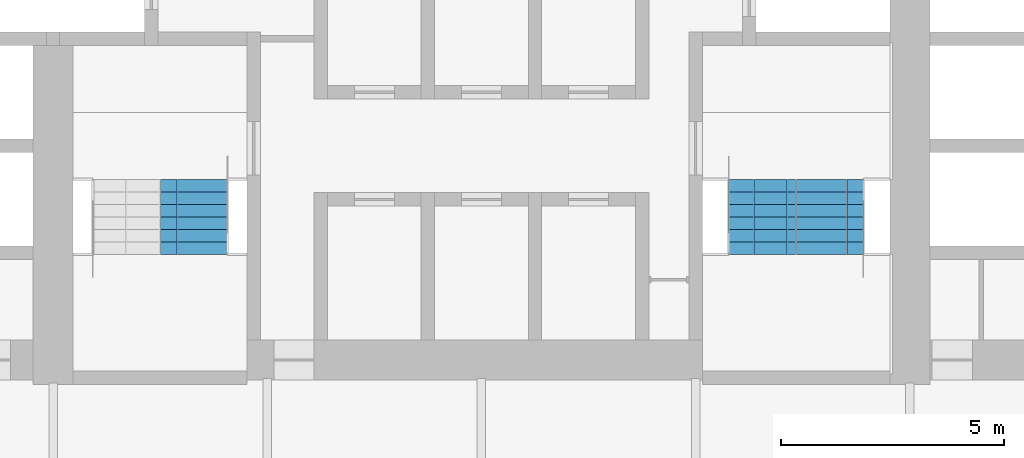
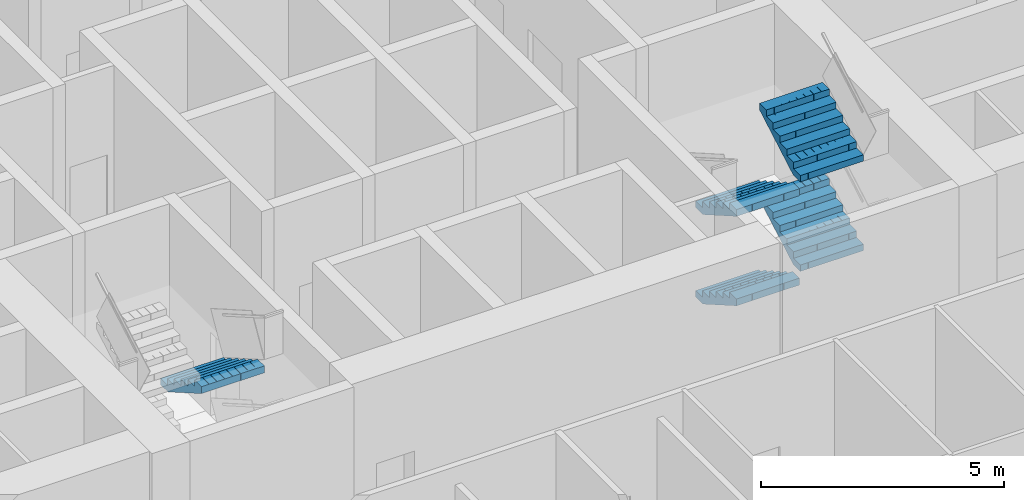
# One storey, part 19 of 23: 5 stair flights, 2 elements without a shape of their own.
"""IFC4 building model written with IfcOpenShell, lengths in metres."""

from ifc_helpers import new_model, si_unit, direction, frame, origin, place, context, subcontext, project, spatial, polyline, outline, extrude, material, type_object, element, aggregate, save


model = new_model("IFC4")

# Units and contexts
model_context = context("Model", 3, precision=1e-05, world=origin(), true_north=direction((0.0, 1.0)))
body_context = subcontext(model_context, "Body", "Model", "MODEL_VIEW")
ifc_project = project(units=[si_unit("LENGTHUNIT", "METRE"), si_unit("AREAUNIT", "SQUARE_METRE"), si_unit("VOLUMEUNIT", "CUBIC_METRE"), si_unit("PLANEANGLEUNIT", "RADIAN"), si_unit("MASSUNIT", "GRAM", prefix="KILO")], contexts=[model_context])

# Site, building, storey
site_placement = place(None, origin())
site = spatial("IfcSite", under=ifc_project, at=site_placement, CompositionType="ELEMENT")
building_placement = place(site_placement, origin())
building = spatial("IfcBuilding", under=site, at=building_placement, Name="Kolab Exchange Tower", CompositionType="ELEMENT")
storey_placement = place(building_placement, frame((0.0, 0.0, 100.39990234375)))
storey = spatial("IfcBuildingStorey", under=building, at=storey_placement, Name="L19", CompositionType="ELEMENT", Elevation=100.39990234375)

# Stair, stair flight
ifc_material = material(Name="Concrete C50/60", Category="concrete")
stair_type_1 = type_object("IfcStairType", Name="STAIR ST3 RISER 160.7", PredefinedType="DOUBLE_RETURN_STAIR", material=ifc_material)
stair_1_placement = place(storey_placement, origin())
stair_1 = element("IfcStair", 1, at=stair_1_placement, inside=storey, type_object=stair_type_1, Name="Stair 3", PredefinedType="DOUBLE_RETURN_STAIR")
stair_flight_type = type_object("IfcStairFlightType", Name="STAIR FLIGHT 1500 RISER 160.7", PredefinedType="STRAIGHT", material=ifc_material)
stair_flight_1_placement = place(storey_placement, frame((-6.43994140625, -5.550048828125, 2.25), z_axis=(0.0, 0.0, 1.0), x_axis=(0.0, -1.0, 0.0)))
stair_flight_1 = element("IfcStairFlight", 2, at=stair_flight_1_placement, type_object=stair_flight_type, Name="ST3 flight 3", NumberOfRisers=7, NumberOfTreads=6, PredefinedType="STRAIGHT", RiserHeight=0.160714286, TreadLength=0.28, context=body_context, shape_type="SweptSolid", body=[
    extrude(outline(polyline([(0.0, 0.0), (0.0, 0.16064453125), (0.280029296875, 0.16064453125), (0.280029296875, 0.321533203125), (0.56005859375, 0.321533203125), (0.56005859375, 0.482177734375), (0.840087890625, 0.482177734375), (0.840087890625, 0.642822265625), (1.1201171875, 0.642822265625), (1.1201171875, 0.803466796875), (1.39990234375, 0.803466796875), (1.39990234375, 0.96435546875), (1.679931640625, 0.96435546875), (1.679931640625, 1.125), (1.679931640625, 0.79150390625), (0.301025390625, 0.0), (0.0, 0.0)])), frame((0.0, 0.75, 0.0), z_axis=(0.0, -1.0, 0.0), x_axis=(1.0, 0.0, 0.0)), (0.0, 0.0, 1.0), 0.185791015625),
    extrude(outline(polyline([(0.0, 0.0), (0.0, 0.16064453125), (0.280029296875, 0.16064453125), (0.280029296875, 0.321533203125), (0.56005859375, 0.321533203125), (0.56005859375, 0.482177734375), (0.840087890625, 0.482177734375), (0.840087890625, 0.642822265625), (1.1201171875, 0.642822265625), (1.1201171875, 0.803466796875), (1.39990234375, 0.803466796875), (1.39990234375, 0.96435546875), (1.679931640625, 0.96435546875), (1.679931640625, 1.125), (1.679931640625, 0.79150390625), (0.301025390625, 0.0), (0.0, 0.0)])), frame((0.0, 0.562255859375, 0.0), z_axis=(0.0, -1.0, 0.0), x_axis=(1.0, 0.0, 0.0)), (0.0, 0.0, 1.0), 0.185791015625),
    extrude(outline(polyline([(0.0, 0.0), (0.0, 0.16064453125), (0.280029296875, 0.16064453125), (0.280029296875, 0.321533203125), (0.56005859375, 0.321533203125), (0.56005859375, 0.482177734375), (0.840087890625, 0.482177734375), (0.840087890625, 0.642822265625), (1.1201171875, 0.642822265625), (1.1201171875, 0.803466796875), (1.39990234375, 0.803466796875), (1.39990234375, 0.96435546875), (1.679931640625, 0.96435546875), (1.679931640625, 1.125), (1.679931640625, 0.79150390625), (0.301025390625, 0.0), (0.0, 0.0)])), frame((0.0, 0.37451171875, 0.0), z_axis=(0.0, -1.0, 0.0), x_axis=(1.0, 0.0, 0.0)), (0.0, 0.0, 1.0), 0.185791015625),
    extrude(outline(polyline([(0.0, 0.0), (0.0, 0.16064453125), (0.280029296875, 0.16064453125), (0.280029296875, 0.321533203125), (0.56005859375, 0.321533203125), (0.56005859375, 0.482177734375), (0.840087890625, 0.482177734375), (0.840087890625, 0.642822265625), (1.1201171875, 0.642822265625), (1.1201171875, 0.803466796875), (1.39990234375, 0.803466796875), (1.39990234375, 0.96435546875), (1.679931640625, 0.96435546875), (1.679931640625, 1.125), (1.679931640625, 0.79150390625), (0.301025390625, 0.0), (0.0, 0.0)])), frame((0.0, 0.186767578125, 0.0), z_axis=(0.0, -1.0, 0.0), x_axis=(1.0, 0.0, 0.0)), (0.0, 0.0, 1.0), 0.185791015625),
    extrude(outline(polyline([(0.0, 0.0), (0.0, 0.16064453125), (0.280029296875, 0.16064453125), (0.280029296875, 0.321533203125), (0.56005859375, 0.321533203125), (0.56005859375, 0.482177734375), (0.840087890625, 0.482177734375), (0.840087890625, 0.642822265625), (1.1201171875, 0.642822265625), (1.1201171875, 0.803466796875), (1.39990234375, 0.803466796875), (1.39990234375, 0.96435546875), (1.679931640625, 0.96435546875), (1.679931640625, 1.125), (1.679931640625, 0.79150390625), (0.301025390625, 0.0), (0.0, 0.0)])), frame((0.0, -0.0009765625, 0.0), z_axis=(0.0, -1.0, 0.0), x_axis=(1.0, 0.0, 0.0)), (0.0, 0.0, 1.0), 0.185791015625),
    extrude(outline(polyline([(0.0, 0.0), (0.0, 0.16064453125), (0.280029296875, 0.16064453125), (0.280029296875, 0.321533203125), (0.56005859375, 0.321533203125), (0.56005859375, 0.482177734375), (0.840087890625, 0.482177734375), (0.840087890625, 0.642822265625), (1.1201171875, 0.642822265625), (1.1201171875, 0.803466796875), (1.39990234375, 0.803466796875), (1.39990234375, 0.96435546875), (1.679931640625, 0.96435546875), (1.679931640625, 1.125), (1.679931640625, 0.79150390625), (0.301025390625, 0.0), (0.0, 0.0)])), frame((0.0, -0.188720703125, 0.0), z_axis=(0.0, -1.0, 0.0), x_axis=(1.0, 0.0, 0.0)), (0.0, 0.0, 1.0), 0.185791015625),
    extrude(outline(polyline([(0.0, 0.0), (0.0, 0.16064453125), (0.280029296875, 0.16064453125), (0.280029296875, 0.321533203125), (0.56005859375, 0.321533203125), (0.56005859375, 0.482177734375), (0.840087890625, 0.482177734375), (0.840087890625, 0.642822265625), (1.1201171875, 0.642822265625), (1.1201171875, 0.803466796875), (1.39990234375, 0.803466796875), (1.39990234375, 0.96435546875), (1.679931640625, 0.96435546875), (1.679931640625, 1.125), (1.679931640625, 0.79150390625), (0.301025390625, 0.0), (0.0, 0.0)])), frame((0.0, -0.37646484375, 0.0), z_axis=(0.0, -1.0, 0.0), x_axis=(1.0, 0.0, 0.0)), (0.0, 0.0, 1.0), 0.185791015625),
    extrude(outline(polyline([(0.0, 0.0), (0.0, 0.16064453125), (0.280029296875, 0.16064453125), (0.280029296875, 0.321533203125), (0.56005859375, 0.321533203125), (0.56005859375, 0.482177734375), (0.840087890625, 0.482177734375), (0.840087890625, 0.642822265625), (1.1201171875, 0.642822265625), (1.1201171875, 0.803466796875), (1.39990234375, 0.803466796875), (1.39990234375, 0.96435546875), (1.679931640625, 0.96435546875), (1.679931640625, 1.125), (1.679931640625, 0.79150390625), (0.301025390625, 0.0), (0.0, 0.0)])), frame((0.0, -0.564208984375, 0.0), z_axis=(0.0, -1.0, 0.0), x_axis=(1.0, 0.0, 0.0)), (0.0, 0.0, 1.0), 0.185791015625),
])
aggregate(stair_1, [stair_flight_1])

# Stair, stair flights
stair_type_2 = type_object("IfcStairType", Name="STAIR ST2 RISER 160.7", PredefinedType="DOUBLE_RETURN_STAIR", material=ifc_material)
stair_2_placement = place(storey_placement, origin())
stair_2 = element("IfcStair", 3, at=stair_2_placement, inside=storey, type_object=stair_type_2, Name="Stair 2", PredefinedType="DOUBLE_RETURN_STAIR")
stair_flight_2_placement = place(storey_placement, frame((6.2900390625, -5.550048828125, 0.0), z_axis=(0.0, 0.0, 1.0), x_axis=(0.0, -1.0, 0.0)))
stair_flight_2 = element("IfcStairFlight", 4, at=stair_flight_2_placement, type_object=stair_flight_type, Name="ST2 flight 1", NumberOfRisers=7, NumberOfTreads=6, PredefinedType="STRAIGHT", RiserHeight=0.160714286, TreadLength=0.28, context=body_context, shape_type="SweptSolid", body=[
    extrude(outline(polyline([(0.0, 0.0), (0.0, 0.16064453125), (0.280029296875, 0.16064453125), (0.280029296875, 0.321533203125), (0.56005859375, 0.321533203125), (0.56005859375, 0.482177734375), (0.840087890625, 0.482177734375), (0.840087890625, 0.642822265625), (1.1201171875, 0.642822265625), (1.1201171875, 0.803466796875), (1.39990234375, 0.803466796875), (1.39990234375, 0.96435546875), (1.679931640625, 0.96435546875), (1.679931640625, 1.125), (1.679931640625, 0.79150390625), (0.301025390625, 0.0), (0.0, 0.0)])), frame((0.0, 0.75, 0.0), z_axis=(0.0, -1.0, 0.0), x_axis=(1.0, 0.0, 0.0)), (0.0, 0.0, 1.0), 0.185791015625),
    extrude(outline(polyline([(0.0, 0.0), (0.0, 0.16064453125), (0.280029296875, 0.16064453125), (0.280029296875, 0.321533203125), (0.56005859375, 0.321533203125), (0.56005859375, 0.482177734375), (0.840087890625, 0.482177734375), (0.840087890625, 0.642822265625), (1.1201171875, 0.642822265625), (1.1201171875, 0.803466796875), (1.39990234375, 0.803466796875), (1.39990234375, 0.96435546875), (1.679931640625, 0.96435546875), (1.679931640625, 1.125), (1.679931640625, 0.79150390625), (0.301025390625, 0.0), (0.0, 0.0)])), frame((0.0, 0.562255859375, 0.0), z_axis=(0.0, -1.0, 0.0), x_axis=(1.0, 0.0, 0.0)), (0.0, 0.0, 1.0), 0.185791015625),
    extrude(outline(polyline([(0.0, 0.0), (0.0, 0.16064453125), (0.280029296875, 0.16064453125), (0.280029296875, 0.321533203125), (0.56005859375, 0.321533203125), (0.56005859375, 0.482177734375), (0.840087890625, 0.482177734375), (0.840087890625, 0.642822265625), (1.1201171875, 0.642822265625), (1.1201171875, 0.803466796875), (1.39990234375, 0.803466796875), (1.39990234375, 0.96435546875), (1.679931640625, 0.96435546875), (1.679931640625, 1.125), (1.679931640625, 0.79150390625), (0.301025390625, 0.0), (0.0, 0.0)])), frame((0.0, 0.37451171875, 0.0), z_axis=(0.0, -1.0, 0.0), x_axis=(1.0, 0.0, 0.0)), (0.0, 0.0, 1.0), 0.185791015625),
    extrude(outline(polyline([(0.0, 0.0), (0.0, 0.16064453125), (0.280029296875, 0.16064453125), (0.280029296875, 0.321533203125), (0.56005859375, 0.321533203125), (0.56005859375, 0.482177734375), (0.840087890625, 0.482177734375), (0.840087890625, 0.642822265625), (1.1201171875, 0.642822265625), (1.1201171875, 0.803466796875), (1.39990234375, 0.803466796875), (1.39990234375, 0.96435546875), (1.679931640625, 0.96435546875), (1.679931640625, 1.125), (1.679931640625, 0.79150390625), (0.301025390625, 0.0), (0.0, 0.0)])), frame((0.0, 0.186767578125, 0.0), z_axis=(0.0, -1.0, 0.0), x_axis=(1.0, 0.0, 0.0)), (0.0, 0.0, 1.0), 0.185791015625),
    extrude(outline(polyline([(0.0, 0.0), (0.0, 0.16064453125), (0.280029296875, 0.16064453125), (0.280029296875, 0.321533203125), (0.56005859375, 0.321533203125), (0.56005859375, 0.482177734375), (0.840087890625, 0.482177734375), (0.840087890625, 0.642822265625), (1.1201171875, 0.642822265625), (1.1201171875, 0.803466796875), (1.39990234375, 0.803466796875), (1.39990234375, 0.96435546875), (1.679931640625, 0.96435546875), (1.679931640625, 1.125), (1.679931640625, 0.79150390625), (0.301025390625, 0.0), (0.0, 0.0)])), frame((0.0, -0.0009765625, 0.0), z_axis=(0.0, -1.0, 0.0), x_axis=(1.0, 0.0, 0.0)), (0.0, 0.0, 1.0), 0.185791015625),
    extrude(outline(polyline([(0.0, 0.0), (0.0, 0.16064453125), (0.280029296875, 0.16064453125), (0.280029296875, 0.321533203125), (0.56005859375, 0.321533203125), (0.56005859375, 0.482177734375), (0.840087890625, 0.482177734375), (0.840087890625, 0.642822265625), (1.1201171875, 0.642822265625), (1.1201171875, 0.803466796875), (1.39990234375, 0.803466796875), (1.39990234375, 0.96435546875), (1.679931640625, 0.96435546875), (1.679931640625, 1.125), (1.679931640625, 0.79150390625), (0.301025390625, 0.0), (0.0, 0.0)])), frame((0.0, -0.188720703125, 0.0), z_axis=(0.0, -1.0, 0.0), x_axis=(1.0, 0.0, 0.0)), (0.0, 0.0, 1.0), 0.185791015625),
    extrude(outline(polyline([(0.0, 0.0), (0.0, 0.16064453125), (0.280029296875, 0.16064453125), (0.280029296875, 0.321533203125), (0.56005859375, 0.321533203125), (0.56005859375, 0.482177734375), (0.840087890625, 0.482177734375), (0.840087890625, 0.642822265625), (1.1201171875, 0.642822265625), (1.1201171875, 0.803466796875), (1.39990234375, 0.803466796875), (1.39990234375, 0.96435546875), (1.679931640625, 0.96435546875), (1.679931640625, 1.125), (1.679931640625, 0.79150390625), (0.301025390625, 0.0), (0.0, 0.0)])), frame((0.0, -0.37646484375, 0.0), z_axis=(0.0, -1.0, 0.0), x_axis=(1.0, 0.0, 0.0)), (0.0, 0.0, 1.0), 0.185791015625),
    extrude(outline(polyline([(0.0, 0.0), (0.0, 0.16064453125), (0.280029296875, 0.16064453125), (0.280029296875, 0.321533203125), (0.56005859375, 0.321533203125), (0.56005859375, 0.482177734375), (0.840087890625, 0.482177734375), (0.840087890625, 0.642822265625), (1.1201171875, 0.642822265625), (1.1201171875, 0.803466796875), (1.39990234375, 0.803466796875), (1.39990234375, 0.96435546875), (1.679931640625, 0.96435546875), (1.679931640625, 1.125), (1.679931640625, 0.79150390625), (0.301025390625, 0.0), (0.0, 0.0)])), frame((0.0, -0.564208984375, 0.0), z_axis=(0.0, -1.0, 0.0), x_axis=(1.0, 0.0, 0.0)), (0.0, 0.0, 1.0), 0.185791015625),
])
stair_flight_3_placement = place(storey_placement, frame((7.81005859375, -7.22998046875, 1.125), z_axis=(0.0, 0.0, 1.0), x_axis=(0.0, 1.0, 0.0)))
stair_flight_3 = element("IfcStairFlight", 5, at=stair_flight_3_placement, type_object=stair_flight_type, Name="ST2 flight 2", NumberOfRisers=7, NumberOfTreads=6, PredefinedType="STRAIGHT", RiserHeight=0.160714286, TreadLength=0.28, context=body_context, shape_type="SweptSolid", body=[
    extrude(outline(polyline([(0.0, 0.0), (0.0, 0.16064453125), (0.280029296875, 0.16064453125), (0.280029296875, 0.321533203125), (0.56005859375, 0.321533203125), (0.56005859375, 0.482177734375), (0.840087890625, 0.482177734375), (0.840087890625, 0.642822265625), (1.1201171875, 0.642822265625), (1.1201171875, 0.803466796875), (1.39990234375, 0.803466796875), (1.39990234375, 0.96435546875), (1.679931640625, 0.96435546875), (1.679931640625, 1.125), (1.679931640625, 0.79150390625), (0.301025390625, 0.0), (0.0, 0.0)])), frame((0.0, 0.75, 0.0), z_axis=(0.0, -1.0, 0.0), x_axis=(1.0, 0.0, 0.0)), (0.0, 0.0, 1.0), 0.185791015625),
    extrude(outline(polyline([(0.0, 0.0), (0.0, 0.16064453125), (0.280029296875, 0.16064453125), (0.280029296875, 0.321533203125), (0.56005859375, 0.321533203125), (0.56005859375, 0.482177734375), (0.840087890625, 0.482177734375), (0.840087890625, 0.642822265625), (1.1201171875, 0.642822265625), (1.1201171875, 0.803466796875), (1.39990234375, 0.803466796875), (1.39990234375, 0.96435546875), (1.679931640625, 0.96435546875), (1.679931640625, 1.125), (1.679931640625, 0.79150390625), (0.301025390625, 0.0), (0.0, 0.0)])), frame((0.0, 0.562255859375, 0.0), z_axis=(0.0, -1.0, 0.0), x_axis=(1.0, 0.0, 0.0)), (0.0, 0.0, 1.0), 0.185791015625),
    extrude(outline(polyline([(0.0, 0.0), (0.0, 0.16064453125), (0.280029296875, 0.16064453125), (0.280029296875, 0.321533203125), (0.56005859375, 0.321533203125), (0.56005859375, 0.482177734375), (0.840087890625, 0.482177734375), (0.840087890625, 0.642822265625), (1.1201171875, 0.642822265625), (1.1201171875, 0.803466796875), (1.39990234375, 0.803466796875), (1.39990234375, 0.96435546875), (1.679931640625, 0.96435546875), (1.679931640625, 1.125), (1.679931640625, 0.79150390625), (0.301025390625, 0.0), (0.0, 0.0)])), frame((0.0, 0.37451171875, 0.0), z_axis=(0.0, -1.0, 0.0), x_axis=(1.0, 0.0, 0.0)), (0.0, 0.0, 1.0), 0.185791015625),
    extrude(outline(polyline([(0.0, 0.0), (0.0, 0.16064453125), (0.280029296875, 0.16064453125), (0.280029296875, 0.321533203125), (0.56005859375, 0.321533203125), (0.56005859375, 0.482177734375), (0.840087890625, 0.482177734375), (0.840087890625, 0.642822265625), (1.1201171875, 0.642822265625), (1.1201171875, 0.803466796875), (1.39990234375, 0.803466796875), (1.39990234375, 0.96435546875), (1.679931640625, 0.96435546875), (1.679931640625, 1.125), (1.679931640625, 0.79150390625), (0.301025390625, 0.0), (0.0, 0.0)])), frame((0.0, 0.186767578125, 0.0), z_axis=(0.0, -1.0, 0.0), x_axis=(1.0, 0.0, 0.0)), (0.0, 0.0, 1.0), 0.185791015625),
    extrude(outline(polyline([(0.0, 0.0), (0.0, 0.16064453125), (0.280029296875, 0.16064453125), (0.280029296875, 0.321533203125), (0.56005859375, 0.321533203125), (0.56005859375, 0.482177734375), (0.840087890625, 0.482177734375), (0.840087890625, 0.642822265625), (1.1201171875, 0.642822265625), (1.1201171875, 0.803466796875), (1.39990234375, 0.803466796875), (1.39990234375, 0.96435546875), (1.679931640625, 0.96435546875), (1.679931640625, 1.125), (1.679931640625, 0.79150390625), (0.301025390625, 0.0), (0.0, 0.0)])), frame((0.0, -0.0009765625, 0.0), z_axis=(0.0, -1.0, 0.0), x_axis=(1.0, 0.0, 0.0)), (0.0, 0.0, 1.0), 0.185791015625),
    extrude(outline(polyline([(0.0, 0.0), (0.0, 0.16064453125), (0.280029296875, 0.16064453125), (0.280029296875, 0.321533203125), (0.56005859375, 0.321533203125), (0.56005859375, 0.482177734375), (0.840087890625, 0.482177734375), (0.840087890625, 0.642822265625), (1.1201171875, 0.642822265625), (1.1201171875, 0.803466796875), (1.39990234375, 0.803466796875), (1.39990234375, 0.96435546875), (1.679931640625, 0.96435546875), (1.679931640625, 1.125), (1.679931640625, 0.79150390625), (0.301025390625, 0.0), (0.0, 0.0)])), frame((0.0, -0.188720703125, 0.0), z_axis=(0.0, -1.0, 0.0), x_axis=(1.0, 0.0, 0.0)), (0.0, 0.0, 1.0), 0.185791015625),
    extrude(outline(polyline([(0.0, 0.0), (0.0, 0.16064453125), (0.280029296875, 0.16064453125), (0.280029296875, 0.321533203125), (0.56005859375, 0.321533203125), (0.56005859375, 0.482177734375), (0.840087890625, 0.482177734375), (0.840087890625, 0.642822265625), (1.1201171875, 0.642822265625), (1.1201171875, 0.803466796875), (1.39990234375, 0.803466796875), (1.39990234375, 0.96435546875), (1.679931640625, 0.96435546875), (1.679931640625, 1.125), (1.679931640625, 0.79150390625), (0.301025390625, 0.0), (0.0, 0.0)])), frame((0.0, -0.37646484375, 0.0), z_axis=(0.0, -1.0, 0.0), x_axis=(1.0, 0.0, 0.0)), (0.0, 0.0, 1.0), 0.185791015625),
    extrude(outline(polyline([(0.0, 0.0), (0.0, 0.16064453125), (0.280029296875, 0.16064453125), (0.280029296875, 0.321533203125), (0.56005859375, 0.321533203125), (0.56005859375, 0.482177734375), (0.840087890625, 0.482177734375), (0.840087890625, 0.642822265625), (1.1201171875, 0.642822265625), (1.1201171875, 0.803466796875), (1.39990234375, 0.803466796875), (1.39990234375, 0.96435546875), (1.679931640625, 0.96435546875), (1.679931640625, 1.125), (1.679931640625, 0.79150390625), (0.301025390625, 0.0), (0.0, 0.0)])), frame((0.0, -0.564208984375, 0.0), z_axis=(0.0, -1.0, 0.0), x_axis=(1.0, 0.0, 0.0)), (0.0, 0.0, 1.0), 0.185791015625),
])
stair_flight_4_placement = place(storey_placement, frame((6.2900390625, -5.550048828125, 2.25), z_axis=(0.0, 0.0, 1.0), x_axis=(0.0, -1.0, 0.0)))
stair_flight_4 = element("IfcStairFlight", 6, at=stair_flight_4_placement, type_object=stair_flight_type, Name="ST2 flight 3", NumberOfRisers=7, NumberOfTreads=6, PredefinedType="STRAIGHT", RiserHeight=0.160714286, TreadLength=0.28, context=body_context, shape_type="SweptSolid", body=[
    extrude(outline(polyline([(0.0, 0.0), (0.0, 0.16064453125), (0.280029296875, 0.16064453125), (0.280029296875, 0.321533203125), (0.56005859375, 0.321533203125), (0.56005859375, 0.482177734375), (0.840087890625, 0.482177734375), (0.840087890625, 0.642822265625), (1.1201171875, 0.642822265625), (1.1201171875, 0.803466796875), (1.39990234375, 0.803466796875), (1.39990234375, 0.96435546875), (1.679931640625, 0.96435546875), (1.679931640625, 1.125), (1.679931640625, 0.79150390625), (0.301025390625, 0.0), (0.0, 0.0)])), frame((0.0, 0.75, 0.0), z_axis=(0.0, -1.0, 0.0), x_axis=(1.0, 0.0, 0.0)), (0.0, 0.0, 1.0), 0.185791015625),
    extrude(outline(polyline([(0.0, 0.0), (0.0, 0.16064453125), (0.280029296875, 0.16064453125), (0.280029296875, 0.321533203125), (0.56005859375, 0.321533203125), (0.56005859375, 0.482177734375), (0.840087890625, 0.482177734375), (0.840087890625, 0.642822265625), (1.1201171875, 0.642822265625), (1.1201171875, 0.803466796875), (1.39990234375, 0.803466796875), (1.39990234375, 0.96435546875), (1.679931640625, 0.96435546875), (1.679931640625, 1.125), (1.679931640625, 0.79150390625), (0.301025390625, 0.0), (0.0, 0.0)])), frame((0.0, 0.562255859375, 0.0), z_axis=(0.0, -1.0, 0.0), x_axis=(1.0, 0.0, 0.0)), (0.0, 0.0, 1.0), 0.185791015625),
    extrude(outline(polyline([(0.0, 0.0), (0.0, 0.16064453125), (0.280029296875, 0.16064453125), (0.280029296875, 0.321533203125), (0.56005859375, 0.321533203125), (0.56005859375, 0.482177734375), (0.840087890625, 0.482177734375), (0.840087890625, 0.642822265625), (1.1201171875, 0.642822265625), (1.1201171875, 0.803466796875), (1.39990234375, 0.803466796875), (1.39990234375, 0.96435546875), (1.679931640625, 0.96435546875), (1.679931640625, 1.125), (1.679931640625, 0.79150390625), (0.301025390625, 0.0), (0.0, 0.0)])), frame((0.0, 0.37451171875, 0.0), z_axis=(0.0, -1.0, 0.0), x_axis=(1.0, 0.0, 0.0)), (0.0, 0.0, 1.0), 0.185791015625),
    extrude(outline(polyline([(0.0, 0.0), (0.0, 0.16064453125), (0.280029296875, 0.16064453125), (0.280029296875, 0.321533203125), (0.56005859375, 0.321533203125), (0.56005859375, 0.482177734375), (0.840087890625, 0.482177734375), (0.840087890625, 0.642822265625), (1.1201171875, 0.642822265625), (1.1201171875, 0.803466796875), (1.39990234375, 0.803466796875), (1.39990234375, 0.96435546875), (1.679931640625, 0.96435546875), (1.679931640625, 1.125), (1.679931640625, 0.79150390625), (0.301025390625, 0.0), (0.0, 0.0)])), frame((0.0, 0.186767578125, 0.0), z_axis=(0.0, -1.0, 0.0), x_axis=(1.0, 0.0, 0.0)), (0.0, 0.0, 1.0), 0.185791015625),
    extrude(outline(polyline([(0.0, 0.0), (0.0, 0.16064453125), (0.280029296875, 0.16064453125), (0.280029296875, 0.321533203125), (0.56005859375, 0.321533203125), (0.56005859375, 0.482177734375), (0.840087890625, 0.482177734375), (0.840087890625, 0.642822265625), (1.1201171875, 0.642822265625), (1.1201171875, 0.803466796875), (1.39990234375, 0.803466796875), (1.39990234375, 0.96435546875), (1.679931640625, 0.96435546875), (1.679931640625, 1.125), (1.679931640625, 0.79150390625), (0.301025390625, 0.0), (0.0, 0.0)])), frame((0.0, -0.0009765625, 0.0), z_axis=(0.0, -1.0, 0.0), x_axis=(1.0, 0.0, 0.0)), (0.0, 0.0, 1.0), 0.185791015625),
    extrude(outline(polyline([(0.0, 0.0), (0.0, 0.16064453125), (0.280029296875, 0.16064453125), (0.280029296875, 0.321533203125), (0.56005859375, 0.321533203125), (0.56005859375, 0.482177734375), (0.840087890625, 0.482177734375), (0.840087890625, 0.642822265625), (1.1201171875, 0.642822265625), (1.1201171875, 0.803466796875), (1.39990234375, 0.803466796875), (1.39990234375, 0.96435546875), (1.679931640625, 0.96435546875), (1.679931640625, 1.125), (1.679931640625, 0.79150390625), (0.301025390625, 0.0), (0.0, 0.0)])), frame((0.0, -0.188720703125, 0.0), z_axis=(0.0, -1.0, 0.0), x_axis=(1.0, 0.0, 0.0)), (0.0, 0.0, 1.0), 0.185791015625),
    extrude(outline(polyline([(0.0, 0.0), (0.0, 0.16064453125), (0.280029296875, 0.16064453125), (0.280029296875, 0.321533203125), (0.56005859375, 0.321533203125), (0.56005859375, 0.482177734375), (0.840087890625, 0.482177734375), (0.840087890625, 0.642822265625), (1.1201171875, 0.642822265625), (1.1201171875, 0.803466796875), (1.39990234375, 0.803466796875), (1.39990234375, 0.96435546875), (1.679931640625, 0.96435546875), (1.679931640625, 1.125), (1.679931640625, 0.79150390625), (0.301025390625, 0.0), (0.0, 0.0)])), frame((0.0, -0.37646484375, 0.0), z_axis=(0.0, -1.0, 0.0), x_axis=(1.0, 0.0, 0.0)), (0.0, 0.0, 1.0), 0.185791015625),
    extrude(outline(polyline([(0.0, 0.0), (0.0, 0.16064453125), (0.280029296875, 0.16064453125), (0.280029296875, 0.321533203125), (0.56005859375, 0.321533203125), (0.56005859375, 0.482177734375), (0.840087890625, 0.482177734375), (0.840087890625, 0.642822265625), (1.1201171875, 0.642822265625), (1.1201171875, 0.803466796875), (1.39990234375, 0.803466796875), (1.39990234375, 0.96435546875), (1.679931640625, 0.96435546875), (1.679931640625, 1.125), (1.679931640625, 0.79150390625), (0.301025390625, 0.0), (0.0, 0.0)])), frame((0.0, -0.564208984375, 0.0), z_axis=(0.0, -1.0, 0.0), x_axis=(1.0, 0.0, 0.0)), (0.0, 0.0, 1.0), 0.185791015625),
])
stair_flight_5_placement = place(storey_placement, frame((7.81005859375, -7.22998046875, 3.375), z_axis=(0.0, 0.0, 1.0), x_axis=(0.0, 1.0, 0.0)))
stair_flight_5 = element("IfcStairFlight", 7, at=stair_flight_5_placement, type_object=stair_flight_type, Name="ST2 flight 4", NumberOfRisers=7, NumberOfTreads=6, PredefinedType="STRAIGHT", RiserHeight=0.160714286, TreadLength=0.28, context=body_context, shape_type="SweptSolid", body=[
    extrude(outline(polyline([(0.0, 0.0), (0.0, 0.16064453125), (0.280029296875, 0.16064453125), (0.280029296875, 0.321533203125), (0.56005859375, 0.321533203125), (0.56005859375, 0.482177734375), (0.840087890625, 0.482177734375), (0.840087890625, 0.642822265625), (1.1201171875, 0.642822265625), (1.1201171875, 0.803466796875), (1.39990234375, 0.803466796875), (1.39990234375, 0.96435546875), (1.679931640625, 0.96435546875), (1.679931640625, 1.125), (1.679931640625, 0.79150390625), (0.301025390625, 0.0), (0.0, 0.0)])), frame((0.0, 0.75, 0.0), z_axis=(0.0, -1.0, 0.0), x_axis=(1.0, 0.0, 0.0)), (0.0, 0.0, 1.0), 0.185791015625),
    extrude(outline(polyline([(0.0, 0.0), (0.0, 0.16064453125), (0.280029296875, 0.16064453125), (0.280029296875, 0.321533203125), (0.56005859375, 0.321533203125), (0.56005859375, 0.482177734375), (0.840087890625, 0.482177734375), (0.840087890625, 0.642822265625), (1.1201171875, 0.642822265625), (1.1201171875, 0.803466796875), (1.39990234375, 0.803466796875), (1.39990234375, 0.96435546875), (1.679931640625, 0.96435546875), (1.679931640625, 1.125), (1.679931640625, 0.79150390625), (0.301025390625, 0.0), (0.0, 0.0)])), frame((0.0, 0.562255859375, 0.0), z_axis=(0.0, -1.0, 0.0), x_axis=(1.0, 0.0, 0.0)), (0.0, 0.0, 1.0), 0.185791015625),
    extrude(outline(polyline([(0.0, 0.0), (0.0, 0.16064453125), (0.280029296875, 0.16064453125), (0.280029296875, 0.321533203125), (0.56005859375, 0.321533203125), (0.56005859375, 0.482177734375), (0.840087890625, 0.482177734375), (0.840087890625, 0.642822265625), (1.1201171875, 0.642822265625), (1.1201171875, 0.803466796875), (1.39990234375, 0.803466796875), (1.39990234375, 0.96435546875), (1.679931640625, 0.96435546875), (1.679931640625, 1.125), (1.679931640625, 0.79150390625), (0.301025390625, 0.0), (0.0, 0.0)])), frame((0.0, 0.37451171875, 0.0), z_axis=(0.0, -1.0, 0.0), x_axis=(1.0, 0.0, 0.0)), (0.0, 0.0, 1.0), 0.185791015625),
    extrude(outline(polyline([(0.0, 0.0), (0.0, 0.16064453125), (0.280029296875, 0.16064453125), (0.280029296875, 0.321533203125), (0.56005859375, 0.321533203125), (0.56005859375, 0.482177734375), (0.840087890625, 0.482177734375), (0.840087890625, 0.642822265625), (1.1201171875, 0.642822265625), (1.1201171875, 0.803466796875), (1.39990234375, 0.803466796875), (1.39990234375, 0.96435546875), (1.679931640625, 0.96435546875), (1.679931640625, 1.125), (1.679931640625, 0.79150390625), (0.301025390625, 0.0), (0.0, 0.0)])), frame((0.0, 0.186767578125, 0.0), z_axis=(0.0, -1.0, 0.0), x_axis=(1.0, 0.0, 0.0)), (0.0, 0.0, 1.0), 0.185791015625),
    extrude(outline(polyline([(0.0, 0.0), (0.0, 0.16064453125), (0.280029296875, 0.16064453125), (0.280029296875, 0.321533203125), (0.56005859375, 0.321533203125), (0.56005859375, 0.482177734375), (0.840087890625, 0.482177734375), (0.840087890625, 0.642822265625), (1.1201171875, 0.642822265625), (1.1201171875, 0.803466796875), (1.39990234375, 0.803466796875), (1.39990234375, 0.96435546875), (1.679931640625, 0.96435546875), (1.679931640625, 1.125), (1.679931640625, 0.79150390625), (0.301025390625, 0.0), (0.0, 0.0)])), frame((0.0, -0.0009765625, 0.0), z_axis=(0.0, -1.0, 0.0), x_axis=(1.0, 0.0, 0.0)), (0.0, 0.0, 1.0), 0.185791015625),
    extrude(outline(polyline([(0.0, 0.0), (0.0, 0.16064453125), (0.280029296875, 0.16064453125), (0.280029296875, 0.321533203125), (0.56005859375, 0.321533203125), (0.56005859375, 0.482177734375), (0.840087890625, 0.482177734375), (0.840087890625, 0.642822265625), (1.1201171875, 0.642822265625), (1.1201171875, 0.803466796875), (1.39990234375, 0.803466796875), (1.39990234375, 0.96435546875), (1.679931640625, 0.96435546875), (1.679931640625, 1.125), (1.679931640625, 0.79150390625), (0.301025390625, 0.0), (0.0, 0.0)])), frame((0.0, -0.188720703125, 0.0), z_axis=(0.0, -1.0, 0.0), x_axis=(1.0, 0.0, 0.0)), (0.0, 0.0, 1.0), 0.185791015625),
    extrude(outline(polyline([(0.0, 0.0), (0.0, 0.16064453125), (0.280029296875, 0.16064453125), (0.280029296875, 0.321533203125), (0.56005859375, 0.321533203125), (0.56005859375, 0.482177734375), (0.840087890625, 0.482177734375), (0.840087890625, 0.642822265625), (1.1201171875, 0.642822265625), (1.1201171875, 0.803466796875), (1.39990234375, 0.803466796875), (1.39990234375, 0.96435546875), (1.679931640625, 0.96435546875), (1.679931640625, 1.125), (1.679931640625, 0.79150390625), (0.301025390625, 0.0), (0.0, 0.0)])), frame((0.0, -0.37646484375, 0.0), z_axis=(0.0, -1.0, 0.0), x_axis=(1.0, 0.0, 0.0)), (0.0, 0.0, 1.0), 0.185791015625),
    extrude(outline(polyline([(0.0, 0.0), (0.0, 0.16064453125), (0.280029296875, 0.16064453125), (0.280029296875, 0.321533203125), (0.56005859375, 0.321533203125), (0.56005859375, 0.482177734375), (0.840087890625, 0.482177734375), (0.840087890625, 0.642822265625), (1.1201171875, 0.642822265625), (1.1201171875, 0.803466796875), (1.39990234375, 0.803466796875), (1.39990234375, 0.96435546875), (1.679931640625, 0.96435546875), (1.679931640625, 1.125), (1.679931640625, 0.79150390625), (0.301025390625, 0.0), (0.0, 0.0)])), frame((0.0, -0.564208984375, 0.0), z_axis=(0.0, -1.0, 0.0), x_axis=(1.0, 0.0, 0.0)), (0.0, 0.0, 1.0), 0.185791015625),
])
aggregate(stair_2, [stair_flight_2, stair_flight_3, stair_flight_4, stair_flight_5])

save(model, "model.ifc")
